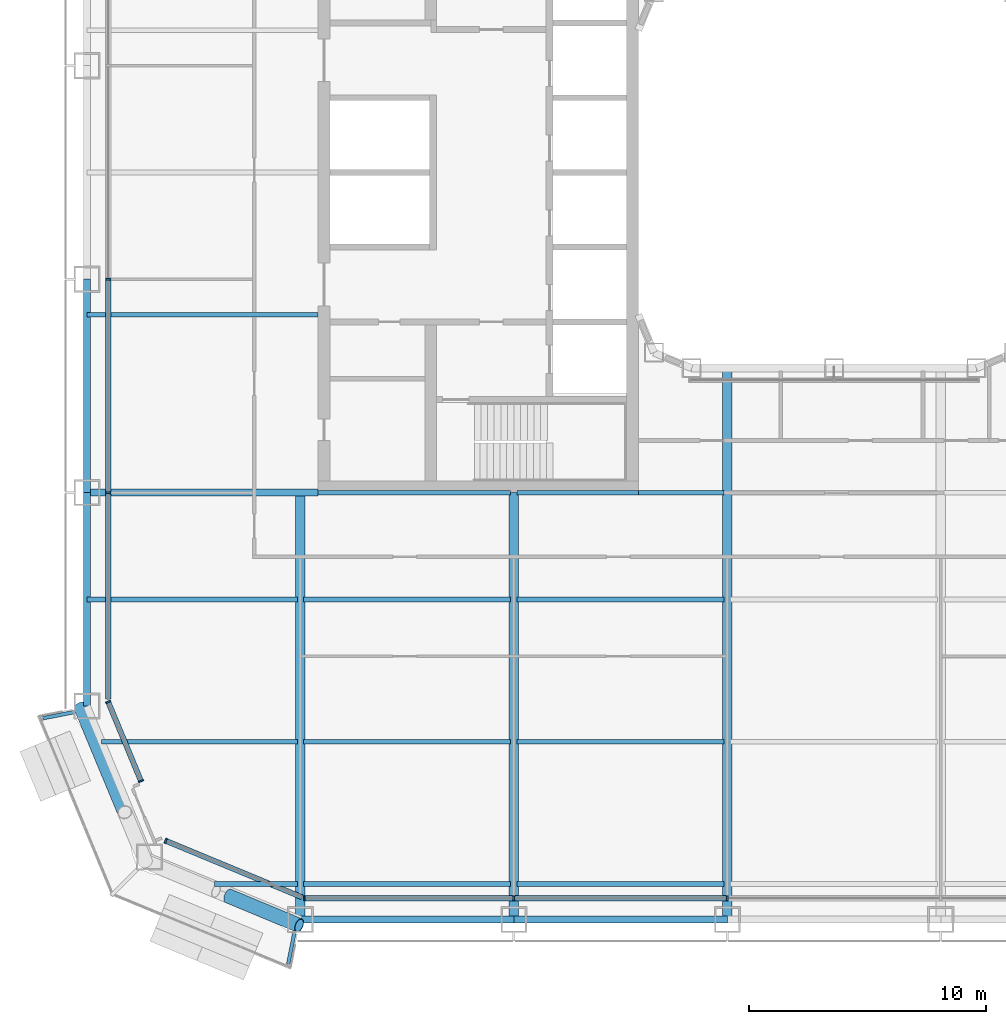
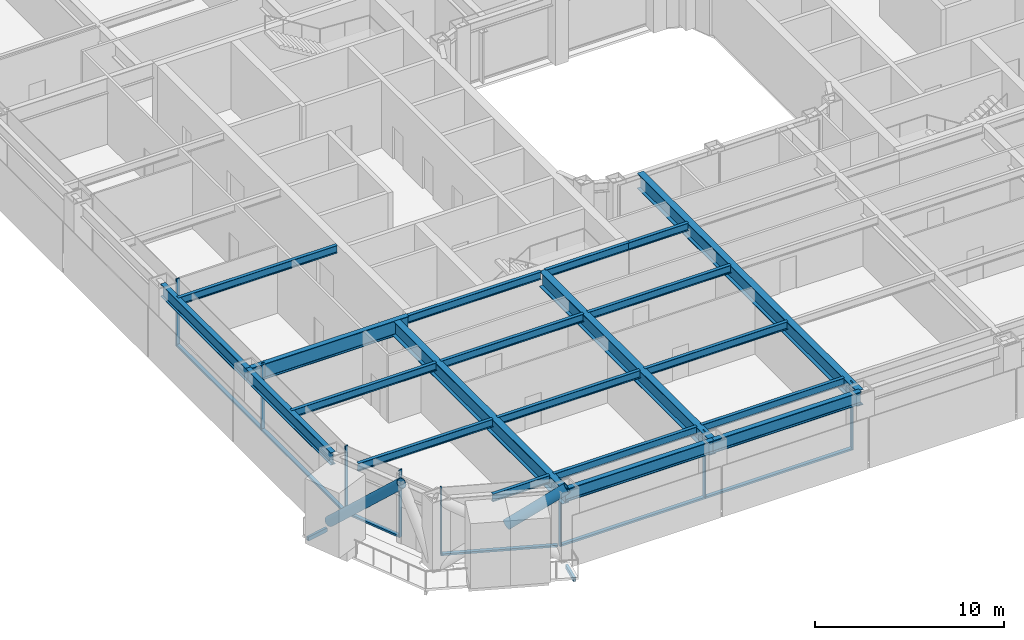
# One storey, part 2 of 27: 23 beams, 16 members, 4 elements without a shape of their own.
"""IFC4 building model written with IfcOpenShell, lengths in metres."""

import ifcopenshell
import ifcopenshell.guid

model = None  # the IFC model being written
_history = None  # IfcOwnerHistory: only IFC2X3 demands one
_inside = {}  # id of a spatial element -> (the spatial element, [elements in it])
_under = {}  # id of a project, library or spatial element -> (it, [spatial elements below it])
_declared = {}  # id of a project -> (the project, [libraries it declares])
_typed = {}  # id of a type object -> (the type object, [elements of that type])
_made_of = {}  # id of a material, layer set ... -> (it, [elements and type objects made of it])


def new_model(schema):
    """Start an empty IFC model of exactly this schema.

    Asked for "IFC4X3", IfcOpenShell would pick the latest addendum, in which some entities
    have other attributes; the version numbers below select the first issue.
    IFC2X3 requires an IfcOwnerHistory on every rooted entity: one is made here for all.
    """
    global model, _history
    if schema == "IFC4X3":
        model = ifcopenshell.file(schema_version=(4, 3, 0, 0))
    else:
        model = ifcopenshell.file(schema=schema)
    _inside.clear()
    _under.clear()
    _declared.clear()
    _typed.clear()
    _made_of.clear()
    _history = None
    if model.schema == "IFC2X3":
        org = make("IfcOrganization", Name="unknown")
        user = make(
            "IfcPersonAndOrganization",
            ThePerson=make("IfcPerson", FamilyName="unknown"),
            TheOrganization=org,
        )
        app = make(
            "IfcApplication",
            ApplicationDeveloper=org,
            Version="unknown",
            ApplicationFullName="unknown",
            ApplicationIdentifier="unknown",
        )
        _history = make(
            "IfcOwnerHistory",
            OwningUser=user,
            OwningApplication=app,
            ChangeAction="ADDED",
            CreationDate=0,
        )
    return model


def make(cls, **values):
    """One entity of the class cls with the attributes given. An attribute that is None is left unset."""
    return model.create_entity(
        cls, **{name: value for name, value in values.items() if value is not None}
    )


def rooted(cls, **values):
    """An entity with a GlobalId (a new one), such as an element, a storey or a relation."""
    return make(cls, GlobalId=ifcopenshell.guid.new(), OwnerHistory=_history, **values)


def si_unit(unit_type, name, prefix=None):
    """IfcSIUnit, for example si_unit("LENGTHUNIT", "METRE", prefix="MILLI")."""
    return make("IfcSIUnit", UnitType=unit_type, Prefix=prefix, Name=name)


def assignment(units):
    """IfcUnitAssignment: the units of a project."""
    return None if units is None else make("IfcUnitAssignment", Units=units)


def point(xyz):
    """IfcCartesianPoint."""
    return None if xyz is None else make("IfcCartesianPoint", Coordinates=xyz)


def direction(xyz):
    """IfcDirection."""
    return None if xyz is None else make("IfcDirection", DirectionRatios=xyz)


def frame(location, z_axis=None, x_axis=None):
    """IfcAxis2Placement3D, a coordinate frame: its origin and axes. An axis left out is left unset."""
    return make(
        "IfcAxis2Placement3D",
        Location=point(location),
        Axis=direction(z_axis),
        RefDirection=direction(x_axis),
    )


def frame_2d(location, x_axis=None):
    """IfcAxis2Placement2D, a coordinate frame in the plane: its origin and x axis."""
    return make(
        "IfcAxis2Placement2D", Location=point(location), RefDirection=direction(x_axis)
    )


def origin():
    """The frame at (0, 0, 0) with its axes left unset."""
    return frame((0.0, 0.0, 0.0))


def origin_2d():
    """The frame at (0, 0) in the plane with its x axis left unset."""
    return frame_2d((0.0, 0.0))


def place(relative_to, where):
    """IfcLocalPlacement: puts the frame where relative to a parent placement (None: the world)."""
    return make(
        "IfcLocalPlacement", PlacementRelTo=relative_to, RelativePlacement=where
    )


def context(
    kind, dimensions, precision=None, world=None, true_north=None, identifier=None
):
    """IfcGeometricRepresentationContext, for example the 3D "Model" context."""
    return make(
        "IfcGeometricRepresentationContext",
        ContextIdentifier=identifier,
        ContextType=kind,
        CoordinateSpaceDimension=dimensions,
        Precision=precision,
        WorldCoordinateSystem=world,
        TrueNorth=true_north,
    )


def subcontext(parent, identifier, kind, view, scale=None):
    """IfcGeometricRepresentationSubContext, for example "Body" below "Model"."""
    return make(
        "IfcGeometricRepresentationSubContext",
        ContextIdentifier=identifier,
        ContextType=kind,
        ParentContext=parent,
        TargetScale=scale,
        TargetView=view,
    )


def project(units=None, contexts=None):
    """IfcProject with its units and contexts."""
    return rooted(
        "IfcProject",
        Name="project",
        RepresentationContexts=contexts,
        UnitsInContext=assignment(units),
    )


def spatial(cls, under=None, at=None, **own):
    """A site, building, storey or space (cls), placed at a placement, below another one or the project."""
    s = rooted(cls, ObjectPlacement=at, **own)
    if under is not None:
        _under.setdefault(under.id(), (under, []))[1].append(s)
    return s


def profile(cls, at=None, kind="AREA", **sizes):
    """A parametric profile (cls). Its sizes go by their IFC names, for example OverallWidth=200.0."""
    return make(cls, ProfileType=kind, Position=at, **sizes)


def rectangle(**sizes):
    """IfcRectangleProfileDef."""
    return profile("IfcRectangleProfileDef", **sizes)


def hollow_rectangle(**sizes):
    """IfcRectangleHollowProfileDef."""
    return profile("IfcRectangleHollowProfileDef", **sizes)


def hollow_circle(**sizes):
    """IfcCircleHollowProfileDef."""
    return profile("IfcCircleHollowProfileDef", **sizes)


def i_section(**sizes):
    """IfcIShapeProfileDef."""
    return profile("IfcIShapeProfileDef", **sizes)


def extrude(swept, where, along, depth):
    """IfcExtrudedAreaSolid: the profile swept, set in the frame where, extruded along a direction by depth."""
    return make(
        "IfcExtrudedAreaSolid",
        SweptArea=swept,
        Position=where,
        ExtrudedDirection=direction(along),
        Depth=depth,
    )


def shape(context_of_items, identifier, shape_type, items):
    """IfcShapeRepresentation: the items that make up one representation, for example the "Body"."""
    return make(
        "IfcShapeRepresentation",
        ContextOfItems=context_of_items,
        RepresentationIdentifier=identifier,
        RepresentationType=shape_type,
        Items=items,
    )


def material(Name=None, Category=None):
    """IfcMaterial."""
    return make("IfcMaterial", Name=Name, Category=Category)


def layer(
    of_material, thickness, ventilated=None, Name=None, Category=None, Priority=None
):
    """IfcMaterialLayer: one layer of a wall or slab, of a material (None: an air gap)."""
    return make(
        "IfcMaterialLayer",
        Material=of_material,
        LayerThickness=thickness,
        IsVentilated=ventilated,
        Name=Name,
        Category=Category,
        Priority=Priority,
    )


def layer_set(layers, Name=None):
    """IfcMaterialLayerSet."""
    return make("IfcMaterialLayerSet", MaterialLayers=layers, LayerSetName=Name)


def material_profile(
    of_material, cross_section, Name=None, Category=None, Priority=None
):
    """IfcMaterialProfile: a cross section and its material."""
    return make(
        "IfcMaterialProfile",
        Name=Name,
        Material=of_material,
        Profile=cross_section,
        Priority=Priority,
        Category=Category,
    )


def profile_set(profiles, Name=None, composite=None):
    """IfcMaterialProfileSet."""
    return make(
        "IfcMaterialProfileSet",
        Name=Name,
        MaterialProfiles=profiles,
        CompositeProfile=composite,
    )


def made_of(thing, what):
    """Note that an element or type object is made of a material, layer set ...; save() writes the relation."""
    if what is not None:
        _made_of.setdefault(what.id(), (what, []))[1].append(thing)
    return thing


def type_object(cls, material=None, **own):
    """A type object (cls), such as IfcWallType, which elements share."""
    return made_of(rooted(cls, **own), material)


def element(
    cls,
    number,
    at=None,
    inside=None,
    cuts=None,
    type_object=None,
    material=None,
    context=None,
    identifier="Body",
    shape_type=None,
    held_by="IfcProductDefinitionShape",
    body=None,
    shapes=None,
    **own,
):
    """One element of the class cls, such as IfcWall. Its Tag is "e" and its number.

    at: its placement. inside: the storey or other place that contains it. cuts: it is an
    opening in that element (IfcRelVoidsElement). A single representation is given by context,
    identifier, shape_type and body (its items); several are given by shapes. held_by: the class
    of the entity that holds the representations. save() writes the other relations.
    """
    e = rooted(cls, Tag="e%d" % number, ObjectPlacement=at, **own)
    if body is not None:
        shapes = [shape(context, identifier, shape_type, body)]
    if shapes is not None:
        e.Representation = make(held_by, Representations=shapes)
    if inside is not None:
        _inside.setdefault(inside.id(), (inside, []))[1].append(e)
    if cuts is not None:
        rooted(
            "IfcRelVoidsElement", RelatingBuildingElement=cuts, RelatedOpeningElement=e
        )
    if type_object is not None:
        _typed.setdefault(type_object.id(), (type_object, []))[1].append(e)
    return made_of(e, material)


def aggregate(whole, parts):
    """IfcRelAggregates: a whole, such as a stair, and the parts it consists of."""
    return rooted("IfcRelAggregates", RelatingObject=whole, RelatedObjects=parts)


def save(model, path):
    """Write the relations noted so far, then the file.

    IfcRelAggregates (storeys below a building ...), IfcRelContainedInSpatialStructure (elements
    in a storey), IfcRelDefinesByType, IfcRelAssociatesMaterial and IfcRelDeclares: one each for
    every whole, place, type object, material and project.
    """
    for whole, parts in _under.values():
        aggregate(whole, parts)
    for where, things in _inside.values():
        rooted(
            "IfcRelContainedInSpatialStructure",
            RelatedElements=things,
            RelatingStructure=where,
        )
    for kind, things in _typed.values():
        rooted("IfcRelDefinesByType", RelatedObjects=things, RelatingType=kind)
    for what, things in _made_of.values():
        rooted("IfcRelAssociatesMaterial", RelatedObjects=things, RelatingMaterial=what)
    for by, libraries in _declared.values():
        rooted("IfcRelDeclares", RelatingContext=by, RelatedDefinitions=libraries)
    model.write(path)


model = new_model("IFC4")

# Units and contexts
model_context = context("Model", 3, precision=1e-05, world=origin(), true_north=direction((0.0, 1.0)))
body_context = subcontext(model_context, "Body", "Model", "MODEL_VIEW")
ifc_project = project(units=[si_unit("LENGTHUNIT", "METRE"), si_unit("AREAUNIT", "SQUARE_METRE"), si_unit("VOLUMEUNIT", "CUBIC_METRE"), si_unit("PLANEANGLEUNIT", "RADIAN"), si_unit("MASSUNIT", "GRAM", prefix="KILO")], contexts=[model_context])

# Site, building, storey
site_placement = place(None, origin())
site = spatial("IfcSite", under=ifc_project, at=site_placement, CompositionType="ELEMENT")
building_placement = place(site_placement, origin())
building = spatial("IfcBuilding", under=site, at=building_placement, Name="Siwar Civic Tower", CompositionType="ELEMENT")
storey_placement = place(building_placement, frame((0.0, 0.0, 35.699951171875)))
storey = spatial("IfcBuildingStorey", under=building, at=storey_placement, Name="L07", CompositionType="ELEMENT", Elevation=35.699951171875)

# Beams
ifc_material_1 = material(Name="Steel S355", Category="steel")
ifc_material_profile_1 = material_profile(ifc_material_1, hollow_rectangle(XDim=0.14990234375, YDim=0.25, WallThickness=0.010009765625, at=origin_2d()), Name="RHS250x150x10")
ifc_profile_set_1 = profile_set([ifc_material_profile_1], Name="Steel S355")
beam_type_1 = type_object("IfcBeamType", Name="ENV-BALCONY ARM", PredefinedType="BEAM", material=ifc_profile_set_1)
for number, where, z_axis, x_axis, name in (
    (1, (-32.059814453125, -22.754150390625, -0.27490234375), (-0.980799833553, -0.195017144127, 0.0), (0.195017144127, -0.980799833553, 0.0), "Balcony cantilever beam SW 1"),
    (2, (-22.754150390625, -32.059814453125, -0.27490234375), (-0.195017144127, -0.980799833553, 0.0), (0.980799833553, -0.195017144127, 0.0), "Balcony cantilever beam SW 3"),
):
    element("IfcBeam", number, at=place(storey_placement, frame(where, z_axis=z_axis, x_axis=x_axis)), inside=storey, type_object=beam_type_1, Name=name, PredefinedType="BEAM", context=body_context, shape_type="SweptSolid", body=[
        extrude(hollow_rectangle(XDim=0.14990234375, YDim=0.25, WallThickness=0.010009765625, at=origin_2d()), origin(), (0.0, 0.0, 1.0), 1.324462890625),
    ])

# Curtain wall, members
ifc_material_2 = material(Name="Aluminium and glass", Category="aluminium")
ifc_layer_1 = layer(ifc_material_2, 0.219970703125)
ifc_layer_set_1 = layer_set([ifc_layer_1], Name="Aluminium and glass")
curtain_wall_type_1 = type_object("IfcCurtainWallType", Name="ENV-CW-A", PredefinedType="NOTDEFINED", material=ifc_layer_set_1)
curtain_wall_1_placement = place(storey_placement, origin())
curtain_wall_1 = element("IfcCurtainWall", 3, at=curtain_wall_1_placement, inside=storey, type_object=curtain_wall_type_1, Name="Curtain wall A S", PredefinedType="NOTDEFINED")
ifc_material_3 = material(Name="Aluminium 6063-T6", Category="aluminium")
ifc_material_profile_2 = material_profile(ifc_material_3, rectangle(XDim=0.219970703125, YDim=0.070068359375, at=origin_2d()), Name="AL 220x70")
ifc_profile_set_2 = profile_set([ifc_material_profile_2], Name="Aluminium 6063-T6")
member_type_1 = type_object("IfcMemberType", Name="ENV-MULLION-A", PredefinedType="MULLION", material=ifc_profile_set_2)
member_1_placement = place(storey_placement, frame((-22.321044921875, -30.60009765625, 0.0), z_axis=(0.0, 0.0, 1.0), x_axis=(0.0, 1.0, 0.0)))
member_1 = element("IfcMember", 4, at=member_1_placement, type_object=member_type_1, Name="Mullion A S 1", PredefinedType="MULLION", context=body_context, shape_type="SweptSolid", body=[
    extrude(rectangle(XDim=0.219970703125, YDim=0.070068359375, at=origin_2d()), origin(), (0.0, 0.0, 1.0), 4.35009765625),
])
member_2_placement = place(storey_placement, frame((-13.5, -30.60009765625, 0.0), z_axis=(0.0, 0.0, 1.0), x_axis=(0.0, 1.0, 0.0)))
member_2 = element("IfcMember", 5, at=member_2_placement, type_object=member_type_1, Name="Mullion A S 2", PredefinedType="MULLION", context=body_context, shape_type="SweptSolid", body=[
    extrude(rectangle(XDim=0.219970703125, YDim=0.070068359375, at=origin_2d()), origin(), (0.0, 0.0, 1.0), 4.35009765625),
])
member_3_placement = place(storey_placement, frame((-4.5, -30.60009765625, 0.0), z_axis=(0.0, 0.0, 1.0), x_axis=(0.0, 1.0, 0.0)))
member_3 = element("IfcMember", 6, at=member_3_placement, type_object=member_type_1, Name="Mullion A S 3", PredefinedType="MULLION", context=body_context, shape_type="SweptSolid", body=[
    extrude(rectangle(XDim=0.219970703125, YDim=0.070068359375, at=origin_2d()), origin(), (0.0, 0.0, 1.0), 4.35009765625),
])

curtain_wall_2_placement = place(storey_placement, origin())
curtain_wall_2 = element("IfcCurtainWall", 7, at=curtain_wall_2_placement, inside=storey, type_object=curtain_wall_type_1, Name="Curtain wall A W", PredefinedType="NOTDEFINED")
member_4_placement = place(storey_placement, frame((-30.60009765625, -4.5, 0.0), z_axis=(0.0, 0.0, 1.0), x_axis=(1.0, 0.0, 0.0)))
member_4 = element("IfcMember", 8, at=member_4_placement, type_object=member_type_1, Name="Mullion A W 4", PredefinedType="MULLION", context=body_context, shape_type="SweptSolid", body=[
    extrude(rectangle(XDim=0.219970703125, YDim=0.070068359375, at=origin_2d()), origin(), (0.0, 0.0, 1.0), 4.35009765625),
])
member_5_placement = place(storey_placement, frame((-30.60009765625, -13.5, 0.0), z_axis=(0.0, 0.0, 1.0), x_axis=(1.0, 0.0, 0.0)))
member_5 = element("IfcMember", 9, at=member_5_placement, type_object=member_type_1, Name="Mullion A W 5", PredefinedType="MULLION", context=body_context, shape_type="SweptSolid", body=[
    extrude(rectangle(XDim=0.219970703125, YDim=0.070068359375, at=origin_2d()), origin(), (0.0, 0.0, 1.0), 4.35009765625),
])

ifc_material_4 = material(Name="Aluminium clad insulated panel", Category="aluminium")
ifc_layer_2 = layer(ifc_material_4, 0.219970703125)
ifc_layer_set_2 = layer_set([ifc_layer_2], Name="Aluminium clad insulated panel")
curtain_wall_type_2 = type_object("IfcCurtainWallType", Name="ENV-CW-AX", PredefinedType="NOTDEFINED", material=ifc_layer_set_2)
curtain_wall_3_placement = place(storey_placement, origin())
curtain_wall_3 = element("IfcCurtainWall", 10, at=curtain_wall_3_placement, inside=storey, type_object=curtain_wall_type_2, Name="Curtain wall A SW1", PredefinedType="NOTDEFINED")
member_6_placement = place(storey_placement, frame((-30.60009765625, -22.321044921875, 0.0), z_axis=(0.0, 0.0, 1.0), x_axis=(0.923879532511, 0.382683432365, 0.0)))
member_6 = element("IfcMember", 11, at=member_6_placement, type_object=member_type_1, Name="Mullion A SW1 1", PredefinedType="MULLION", context=body_context, shape_type="SweptSolid", body=[
    extrude(rectangle(XDim=0.219970703125, YDim=0.070068359375, at=origin_2d()), origin(), (0.0, 0.0, 1.0), 4.35009765625),
])
member_7_placement = place(storey_placement, frame((-29.219482421875, -25.653564453125, 0.0), z_axis=(0.0, 0.0, 1.0), x_axis=(0.923879532511, 0.382683432365, 0.0)))
member_7 = element("IfcMember", 12, at=member_7_placement, type_object=member_type_1, Name="Mullion A SW1 2", PredefinedType="MULLION", context=body_context, shape_type="SweptSolid", body=[
    extrude(rectangle(XDim=0.219970703125, YDim=0.070068359375, at=origin_2d()), origin(), (0.0, 0.0, 1.0), 4.35009765625),
])

# Curtain wall, member
curtain_wall_4_placement = place(storey_placement, origin())
curtain_wall_4 = element("IfcCurtainWall", 13, at=curtain_wall_4_placement, inside=storey, type_object=curtain_wall_type_2, Name="Curtain wall A SW2", PredefinedType="NOTDEFINED")
member_8_placement = place(storey_placement, frame((-28.175048828125, -28.175048828125, 0.0), z_axis=(0.0, 0.0, 1.0), x_axis=(0.382683432365, 0.923879532511, 0.0)))
member_8 = element("IfcMember", 14, at=member_8_placement, type_object=member_type_1, Name="Mullion A SW2 1", PredefinedType="MULLION", context=body_context, shape_type="SweptSolid", body=[
    extrude(rectangle(XDim=0.219970703125, YDim=0.070068359375, at=origin_2d()), origin(), (0.0, 0.0, 1.0), 4.35009765625),
])

# Member
ifc_material_5 = material(Name="Aluminium 6063-T6", Category="aluminium")
ifc_material_profile_3 = material_profile(ifc_material_5, rectangle(XDim=0.219970703125, YDim=0.1201171875, at=origin_2d()), Name="AL 220x120")
ifc_profile_set_3 = profile_set([ifc_material_profile_3], Name="Aluminium 6063-T6")
member_type_2 = type_object("IfcMemberType", Name="ENV-TRANSOM-A", PredefinedType="USERDEFINED", material=ifc_profile_set_3)
member_9_placement = place(storey_placement, frame((-22.285888671875, -30.60009765625, 0.06005859375), z_axis=(1.0, 0.0, 0.0), x_axis=(0.0, 1.0, 0.0)))
member_9 = element("IfcMember", 15, at=member_9_placement, type_object=member_type_2, Name="Transom A S 1", ObjectType="TRANSOM", PredefinedType="USERDEFINED", context=body_context, shape_type="SweptSolid", body=[
    extrude(rectangle(XDim=0.219970703125, YDim=0.1201171875, at=origin_2d()), origin(), (0.0, 0.0, 1.0), 8.7509765625),
])

member_10_placement = place(storey_placement, frame((-13.465087890625, -30.60009765625, 0.06005859375), z_axis=(1.0, 0.0, 0.0), x_axis=(0.0, 1.0, 0.0)))
member_10 = element("IfcMember", 16, at=member_10_placement, type_object=member_type_2, Name="Transom A S 2", ObjectType="TRANSOM", PredefinedType="USERDEFINED", context=body_context, shape_type="SweptSolid", body=[
    extrude(rectangle(XDim=0.219970703125, YDim=0.1201171875, at=origin_2d()), origin(), (0.0, 0.0, 1.0), 8.93017578125),
])

aggregate(curtain_wall_1, [member_1, member_2, member_3, member_9, member_10])

member_11_placement = place(storey_placement, frame((-30.60009765625, -4.534912109375, 0.06005859375), z_axis=(0.0, -1.0, 0.0), x_axis=(1.0, 0.0, 0.0)))
member_11 = element("IfcMember", 17, at=member_11_placement, type_object=member_type_2, Name="Transom A W 4", ObjectType="TRANSOM", PredefinedType="USERDEFINED", context=body_context, shape_type="SweptSolid", body=[
    extrude(rectangle(XDim=0.219970703125, YDim=0.1201171875, at=origin_2d()), origin(), (0.0, 0.0, 1.0), 8.93017578125),
])

member_12_placement = place(storey_placement, frame((-30.60009765625, -13.534912109375, 0.06005859375), z_axis=(0.0, -1.0, 0.0), x_axis=(1.0, 0.0, 0.0)))
member_12 = element("IfcMember", 18, at=member_12_placement, type_object=member_type_2, Name="Transom A W 5", ObjectType="TRANSOM", PredefinedType="USERDEFINED", context=body_context, shape_type="SweptSolid", body=[
    extrude(rectangle(XDim=0.219970703125, YDim=0.1201171875, at=origin_2d()), origin(), (0.0, 0.0, 1.0), 8.66357421875),
])

aggregate(curtain_wall_2, [member_4, member_5, member_11, member_12])

member_13_placement = place(storey_placement, frame((-30.586669921875, -22.353271484375, 0.06005859375), z_axis=(0.38270330002, -0.923871302809, 0.0), x_axis=(0.923871302809, 0.38270330002, 0.0)))
member_13 = element("IfcMember", 19, at=member_13_placement, type_object=member_type_2, Name="Transom A SW1 1", ObjectType="TRANSOM", PredefinedType="USERDEFINED", context=body_context, shape_type="SweptSolid", body=[
    extrude(rectangle(XDim=0.219970703125, YDim=0.1201171875, at=origin_2d()), origin(), (0.0, 0.0, 1.0), 3.537353515625),
])

aggregate(curtain_wall_3, [member_6, member_7, member_13])

member_14_placement = place(storey_placement, frame((-28.142822265625, -28.1884765625, 0.06005859375), z_axis=(0.923873326341, -0.382698415042, 0.0), x_axis=(0.382698415042, 0.923873326341, 0.0)))
member_14 = element("IfcMember", 20, at=member_14_placement, type_object=member_type_2, Name="Transom A SW2 1", ObjectType="TRANSOM", PredefinedType="USERDEFINED", context=body_context, shape_type="SweptSolid", body=[
    extrude(rectangle(XDim=0.219970703125, YDim=0.1201171875, at=origin_2d()), origin(), (0.0, 0.0, 1.0), 6.17919921875),
])

aggregate(curtain_wall_4, [member_8, member_14])

# Members
ifc_material_6 = material(Name="Steel S355", Category="steel")
ifc_material_profile_4 = material_profile(ifc_material_6, hollow_circle(Radius=0.304931640625, WallThickness=0.030029296875, at=origin_2d()), Name="CHS610x30")
ifc_profile_set_4 = profile_set([ifc_material_profile_4], Name="Steel S355")
member_type_3 = type_object("IfcMemberType", Name="STR-BR-CHS610x30", PredefinedType="BRACE", material=ifc_profile_set_4)
member_15_placement = place(storey_placement, frame((-25.537353515625, -30.500244140625, 2.428466796875), z_axis=(0.777559680196, -0.3238932121, 0.53897507446), x_axis=(0.384524353215, 0.923114847559, 0.0)))
element("IfcMember", 21, at=member_15_placement, inside=storey, type_object=member_type_3, Name="L07/brc/ASW1-6-0-3", PredefinedType="BRACE", context=body_context, shape_type="SweptSolid", body=[
    extrude(hollow_circle(Radius=0.304931640625, WallThickness=0.030029296875, at=origin_2d()), origin(), (0.0, 0.0, 1.0), 3.843505859375),
])
member_16_placement = place(storey_placement, frame((-31.7451171875, -22.548828125, 0.0), z_axis=(0.280310719993, -0.672864582402, 0.684601456328), x_axis=(0.923101041979, 0.384557494138, 0.0)))
element("IfcMember", 22, at=member_16_placement, inside=storey, type_object=member_type_3, Name="L07/brc/ASW1-6-0-0", PredefinedType="BRACE", context=body_context, shape_type="SweptSolid", body=[
    extrude(hollow_circle(Radius=0.304931640625, WallThickness=0.030029296875, at=origin_2d()), origin(), (0.0, 0.0, 1.0), 6.5732421875),
])

# Beams
ifc_material_7 = material(Name="Steel S355", Category="steel")
ifc_material_profile_5 = material_profile(ifc_material_7, i_section(OverallWidth=0.199951171875, OverallDepth=0.5, WebThickness=0.01025390625, FlangeThickness=0.01611328125, FilletRadius=0.02099609375, at=origin_2d()), Name="IPE500")
ifc_profile_set_5 = profile_set([ifc_material_profile_5], Name="Steel S355")
beam_type_2 = type_object("IfcBeamType", Name="STR-FB-IPE500", PredefinedType="JOIST", material=ifc_profile_set_5)
beam_1_placement = place(storey_placement, frame((-26.121337890625, -30.0, 4.10009765625), z_axis=(1.0, 0.0, 0.0), x_axis=(0.0, 1.0, 0.0)))
element("IfcBeam", 23, at=beam_1_placement, inside=storey, type_object=beam_type_2, Name="L07/bm/F001", PredefinedType="JOIST", context=body_context, shape_type="SweptSolid", body=[
    extrude(i_section(OverallWidth=0.199951171875, OverallDepth=0.5, WebThickness=0.01025390625, FlangeThickness=0.01611328125, FilletRadius=0.02099609375, at=origin_2d()), origin(), (0.0, 0.0, 1.0), 3.491455078125),
])
for number, where, z_axis, x_axis, name in (
    (24, (-22.3701171875, -30.0, 4.10009765625), (1.0, 0.0, 0.0), (0.0, 1.0, 0.0), "L07/bm/F002"),
    (25, (-13.3701171875, -30.0, 4.10009765625), (1.0, 0.0, 0.0), (0.0, 1.0, 0.0), "L07/bm/F003"),
):
    element("IfcBeam", number, at=place(storey_placement, frame(where, z_axis=z_axis, x_axis=x_axis)), inside=storey, type_object=beam_type_2, Name=name, PredefinedType="JOIST", context=body_context, shape_type="SweptSolid", body=[
        extrude(i_section(OverallWidth=0.199951171875, OverallDepth=0.5, WebThickness=0.01025390625, FlangeThickness=0.01611328125, FilletRadius=0.02099609375, at=origin_2d()), origin(), (0.0, 0.0, 1.0), 8.740234375),
    ])
beam_2_placement = place(storey_placement, frame((-30.878662109375, -24.0, 4.10009765625), z_axis=(1.0, 0.0, 0.0), x_axis=(0.0, 1.0, 0.0)))
element("IfcBeam", 26, at=beam_2_placement, inside=storey, type_object=beam_type_2, Name="L07/bm/F008", PredefinedType="JOIST", context=body_context, shape_type="SweptSolid", body=[
    extrude(i_section(OverallWidth=0.199951171875, OverallDepth=0.5, WebThickness=0.01025390625, FlangeThickness=0.01611328125, FilletRadius=0.02099609375, at=origin_2d()), origin(), (0.0, 0.0, 1.0), 8.248779296875),
])
for number, where, z_axis, x_axis, name in (
    (27, (-22.3701171875, -24.0, 4.10009765625), (1.0, 0.0, 0.0), (0.0, 1.0, 0.0), "L07/bm/F009"),
    (28, (-13.3701171875, -24.0, 4.10009765625), (1.0, 0.0, 0.0), (0.0, 1.0, 0.0), "L07/bm/F010"),
):
    element("IfcBeam", number, at=place(storey_placement, frame(where, z_axis=z_axis, x_axis=x_axis)), inside=storey, type_object=beam_type_2, Name=name, PredefinedType="JOIST", context=body_context, shape_type="SweptSolid", body=[
        extrude(i_section(OverallWidth=0.199951171875, OverallDepth=0.5, WebThickness=0.01025390625, FlangeThickness=0.01611328125, FilletRadius=0.02099609375, at=origin_2d()), origin(), (0.0, 0.0, 1.0), 8.740234375),
    ])
beam_3_placement = place(storey_placement, frame((-31.5, -18.0, 4.10009765625), z_axis=(1.0, 0.0, 0.0), x_axis=(0.0, 1.0, 0.0)))
element("IfcBeam", 29, at=beam_3_placement, inside=storey, type_object=beam_type_2, Name="L07/bm/F015", PredefinedType="JOIST", context=body_context, shape_type="SweptSolid", body=[
    extrude(i_section(OverallWidth=0.199951171875, OverallDepth=0.5, WebThickness=0.01025390625, FlangeThickness=0.01611328125, FilletRadius=0.02099609375, at=origin_2d()), origin(), (0.0, 0.0, 1.0), 8.8701171875),
])
for number, where, z_axis, x_axis, name in (
    (30, (-22.3701171875, -18.0, 4.10009765625), (1.0, 0.0, 0.0), (0.0, 1.0, 0.0), "L07/bm/F016"),
    (31, (-13.3701171875, -18.0, 4.10009765625), (1.0, 0.0, 0.0), (0.0, 1.0, 0.0), "L07/bm/F017"),
):
    element("IfcBeam", number, at=place(storey_placement, frame(where, z_axis=z_axis, x_axis=x_axis)), inside=storey, type_object=beam_type_2, Name=name, PredefinedType="JOIST", context=body_context, shape_type="SweptSolid", body=[
        extrude(i_section(OverallWidth=0.199951171875, OverallDepth=0.5, WebThickness=0.01025390625, FlangeThickness=0.01611328125, FilletRadius=0.02099609375, at=origin_2d()), origin(), (0.0, 0.0, 1.0), 8.740234375),
    ])
beam_4_placement = place(storey_placement, frame((-21.75, -13.5, 4.10009765625), z_axis=(1.0, 0.0, 0.0), x_axis=(0.0, 1.0, 0.0)))
element("IfcBeam", 32, at=beam_4_placement, inside=storey, type_object=beam_type_2, Name="L07/bm/F023", PredefinedType="JOIST", context=body_context, shape_type="SweptSolid", body=[
    extrude(i_section(OverallWidth=0.199951171875, OverallDepth=0.5, WebThickness=0.01025390625, FlangeThickness=0.01611328125, FilletRadius=0.02099609375, at=origin_2d()), origin(), (0.0, 0.0, 1.0), 8.1201171875),
])
beam_5_placement = place(storey_placement, frame((-13.3701171875, -13.5, 4.10009765625), z_axis=(1.0, 0.0, 0.0), x_axis=(0.0, 1.0, 0.0)))
element("IfcBeam", 33, at=beam_5_placement, inside=storey, type_object=beam_type_2, Name="L07/bm/F024", PredefinedType="JOIST", context=body_context, shape_type="SweptSolid", body=[
    extrude(i_section(OverallWidth=0.199951171875, OverallDepth=0.5, WebThickness=0.01025390625, FlangeThickness=0.01611328125, FilletRadius=0.02099609375, at=origin_2d()), origin(), (0.0, 0.0, 1.0), 5.1201171875),
])
beam_6_placement = place(storey_placement, frame((-8.25, -13.5, 4.10009765625), z_axis=(1.0, 0.0, 0.0), x_axis=(0.0, 1.0, 0.0)))
element("IfcBeam", 34, at=beam_6_placement, inside=storey, type_object=beam_type_2, Name="L07/bm/F025", PredefinedType="JOIST", context=body_context, shape_type="SweptSolid", body=[
    extrude(i_section(OverallWidth=0.199951171875, OverallDepth=0.5, WebThickness=0.01025390625, FlangeThickness=0.01611328125, FilletRadius=0.02099609375, at=origin_2d()), origin(), (0.0, 0.0, 1.0), 3.6201171875),
])
beam_7_placement = place(storey_placement, frame((-31.5, -6.0, 4.10009765625), z_axis=(1.0, 0.0, 0.0), x_axis=(0.0, 1.0, 0.0)))
element("IfcBeam", 35, at=beam_7_placement, inside=storey, type_object=beam_type_2, Name="L07/bm/F031", PredefinedType="JOIST", context=body_context, shape_type="SweptSolid", body=[
    extrude(i_section(OverallWidth=0.199951171875, OverallDepth=0.5, WebThickness=0.01025390625, FlangeThickness=0.01611328125, FilletRadius=0.02099609375, at=origin_2d()), origin(), (0.0, 0.0, 1.0), 9.75),
])
ifc_material_8 = material(Name="Steel S355", Category="steel")
ifc_material_profile_6 = material_profile(ifc_material_8, i_section(OverallWidth=0.300048828125, OverallDepth=1.0, WebThickness=0.01904296875, FlangeThickness=0.035888671875, FilletRadius=0.030029296875, at=origin_2d()), Name="HEB1000")
ifc_profile_set_6 = profile_set([ifc_material_profile_6], Name="Steel S355")
beam_type_3 = type_object("IfcBeamType", Name="STR-PG-HEB1000", PredefinedType="BEAM", material=ifc_profile_set_6)
beam_8_placement = place(storey_placement, frame((-31.5, -13.5, 3.85009765625), z_axis=(1.0, 0.0, 0.0), x_axis=(0.0, 1.0, 0.0)))
element("IfcBeam", 36, at=beam_8_placement, inside=storey, type_object=beam_type_3, Name="L07/bm/F022", PredefinedType="BEAM", context=body_context, shape_type="SweptSolid", body=[
    extrude(i_section(OverallWidth=0.300048828125, OverallDepth=1.0, WebThickness=0.01904296875, FlangeThickness=0.035888671875, FilletRadius=0.030029296875, at=origin_2d()), origin(), (0.0, 0.0, 1.0), 9.75),
])
ifc_material_9 = material(Name="Steel S355", Category="steel")
ifc_material_profile_7 = material_profile(ifc_material_9, i_section(OverallWidth=0.39990234375, OverallDepth=1.0, WebThickness=0.01611328125, FlangeThickness=0.0400390625, at=origin_2d()), Name="PG1000x400x16x40")
ifc_profile_set_7 = profile_set([ifc_material_profile_7], Name="Steel S355")
beam_type_4 = type_object("IfcBeamType", Name="STR-PG-PG1000x400x16x40", PredefinedType="BEAM", material=ifc_profile_set_7)
for number, where, z_axis, x_axis, name in (
    (37, (-22.5, -31.5, 3.85009765625), (0.0, 1.0, 0.0), (-1.0, 0.0, 0.0), "L07/bm/G01"),
    (38, (-13.5, -31.5, 3.85009765625), (0.0, 1.0, 0.0), (-1.0, 0.0, 0.0), "L07/bm/G03"),
):
    element("IfcBeam", number, at=place(storey_placement, frame(where, z_axis=z_axis, x_axis=x_axis)), inside=storey, type_object=beam_type_4, Name=name, PredefinedType="BEAM", context=body_context, shape_type="SweptSolid", body=[
        extrude(i_section(OverallWidth=0.39990234375, OverallDepth=1.0, WebThickness=0.01611328125, FlangeThickness=0.0400390625, at=origin_2d()), origin(), (0.0, 0.0, 1.0), 18.0),
    ])
beam_9_placement = place(storey_placement, frame((-4.5, -31.5, 3.85009765625), z_axis=(0.0, 1.0, 0.0), x_axis=(-1.0, 0.0, 0.0)))
element("IfcBeam", 39, at=beam_9_placement, inside=storey, type_object=beam_type_4, Name="L07/bm/G05", PredefinedType="BEAM", context=body_context, shape_type="SweptSolid", body=[
    extrude(i_section(OverallWidth=0.39990234375, OverallDepth=1.0, WebThickness=0.01611328125, FlangeThickness=0.0400390625, at=origin_2d()), origin(), (0.0, 0.0, 1.0), 23.25),
])
ifc_material_10 = material(Name="Steel S355", Category="steel")
ifc_material_profile_8 = material_profile(ifc_material_10, i_section(OverallWidth=0.302978515625, OverallDepth=0.81396484375, WebThickness=0.02099609375, FlangeThickness=0.0400390625, FilletRadius=0.030029296875, at=origin_2d()), Name="HEM800")
ifc_profile_set_8 = profile_set([ifc_material_profile_8], Name="Steel S355")
beam_type_5 = type_object("IfcBeamType", Name="STR-SB-HEM800", PredefinedType="BEAM", material=ifc_profile_set_8)
for number, where, z_axis, x_axis, name in (
    (40, (-22.5, -31.5, 3.943115234375), (1.0, 0.0, 0.0), (0.0, 1.0, 0.0), "L07/bm/SS-0"),
    (41, (-13.5, -31.5, 3.943115234375), (1.0, 0.0, 0.0), (0.0, 1.0, 0.0), "L07/bm/SS-1"),
    (42, (-31.5, -4.5, 3.943115234375), (0.0, -1.0, 0.0), (1.0, 0.0, 0.0), "L07/bm/SW-3"),
    (43, (-31.5, -13.5, 3.943115234375), (0.0, -1.0, 0.0), (1.0, 0.0, 0.0), "L07/bm/SW-4"),
):
    element("IfcBeam", number, at=place(storey_placement, frame(where, z_axis=z_axis, x_axis=x_axis)), inside=storey, type_object=beam_type_5, Name=name, PredefinedType="BEAM", context=body_context, shape_type="SweptSolid", body=[
        extrude(i_section(OverallWidth=0.302978515625, OverallDepth=0.81396484375, WebThickness=0.02099609375, FlangeThickness=0.0400390625, FilletRadius=0.030029296875, at=origin_2d()), origin(), (0.0, 0.0, 1.0), 9.0),
    ])

save(model, "model.ifc")
